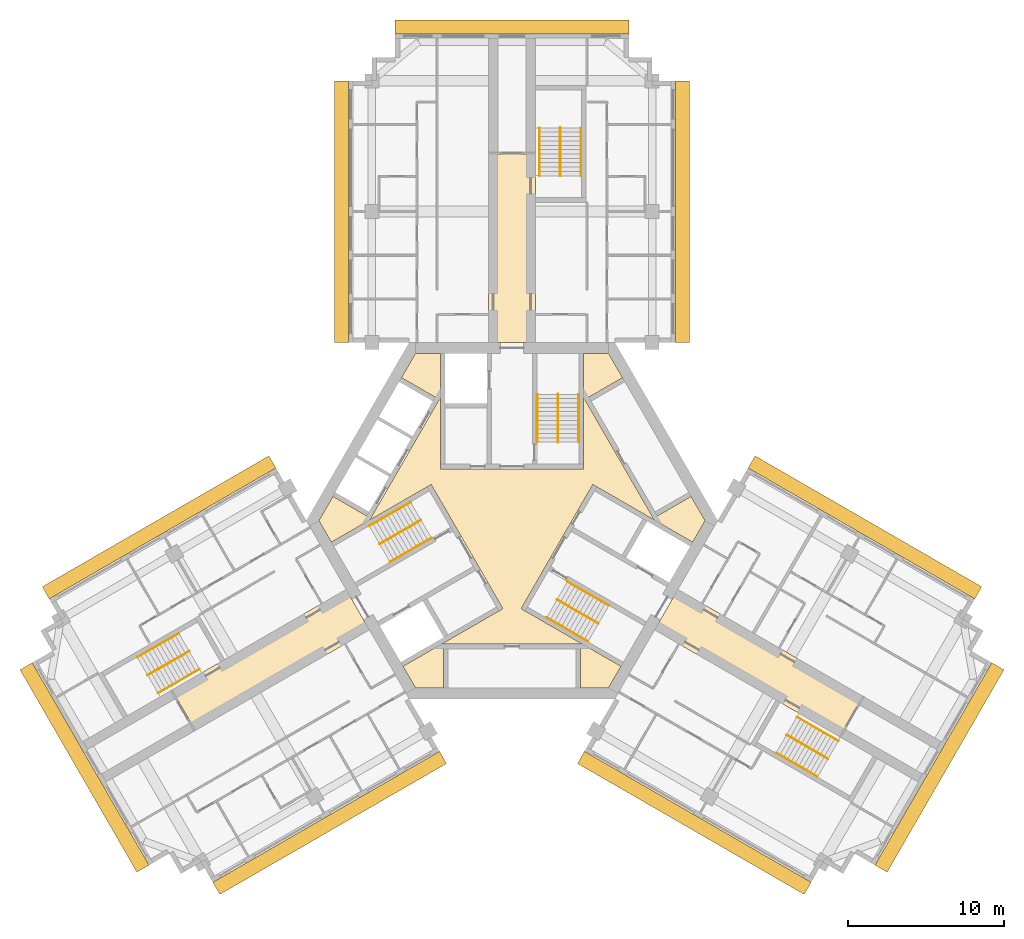
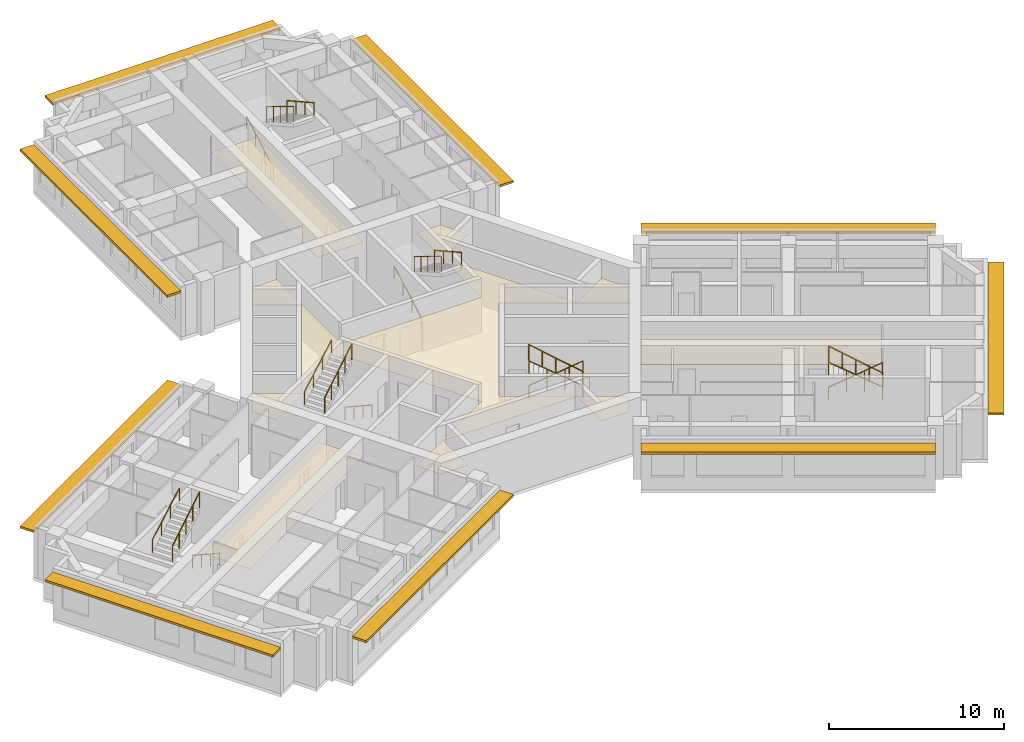
# One storey, part 10 of 10: 18 railings, 4 coverings, 3 shading devices.
"""IFC4 building model written with IfcOpenShell, lengths in metres."""

from ifc_helpers import new_model, si_unit, direction, frame, origin, origin_2d, place, context, subcontext, project, spatial, polyline, rectangle, circle, outline, extrude, material, layer, layer_set, type_object, element, save


model = new_model("IFC4")

# Units and contexts
model_context = context("Model", 3, precision=1e-05, world=origin(), true_north=direction((0.0, 1.0)))
body_context = subcontext(model_context, "Body", "Model", "MODEL_VIEW")
ifc_project = project(units=[si_unit("LENGTHUNIT", "METRE"), si_unit("AREAUNIT", "SQUARE_METRE"), si_unit("VOLUMEUNIT", "CUBIC_METRE"), si_unit("PLANEANGLEUNIT", "RADIAN"), si_unit("MASSUNIT", "GRAM", prefix="KILO")], contexts=[model_context])

# Site, building, storey
site_placement = place(None, origin())
site = spatial("IfcSite", under=ifc_project, at=site_placement, CompositionType="ELEMENT")
building_placement = place(site_placement, origin())
building = spatial("IfcBuilding", under=site, at=building_placement, Name="Impinga Residences", CompositionType="ELEMENT")
storey_placement = place(building_placement, frame((0.0, 0.0, 259.75)))
storey = spatial("IfcBuildingStorey", under=building, at=storey_placement, Name="L65", CompositionType="ELEMENT", Elevation=259.75)

# Coverings
ifc_material_1 = material(Name="Plasterboard 15 mm on steel hangers", Category="steel")
ifc_layer_1 = layer(ifc_material_1, 0.014892578125)
ifc_layer_set_1 = layer_set([ifc_layer_1], Name="Plasterboard 15 mm on steel hangers")
covering_type_1 = type_object("IfcCoveringType", Name="CL1 corridor ceiling, 15 mm plasterboard on hangers", PredefinedType="CEILING", material=ifc_layer_set_1)
covering_1_placement = place(storey_placement, frame((0.0, 0.0, 2.39990234375)))
element("IfcCovering", 1, at=covering_1_placement, inside=storey, type_object=covering_type_1, Name="Corridor ceiling CL1 L65-N00", PredefinedType="CEILING", context=body_context, shape_type="SweptSolid", body=[
    extrude(outline(polyline([(-1.5, 11.431640625), (1.5, 11.431640625), (1.5, 23.531494140625), (-1.5, 23.531494140625), (-1.5, 11.431640625)])), origin(), (0.0, 0.0, 1.0), 0.01513671875),
])
covering_2_placement = place(storey_placement, frame((0.0, 0.0, 2.39990234375)))
element("IfcCovering", 2, at=covering_2_placement, inside=storey, type_object=covering_type_1, Name="Corridor ceiling CL1 L65-W00", PredefinedType="CEILING", context=body_context, shape_type="SweptSolid", body=[
    extrude(outline(polyline([(-9.14990234375, -7.014892578125), (-10.64990234375, -4.416748046875), (-21.82177734375, -10.86669921875), (-20.32177734375, -13.46484375), (-9.14990234375, -7.014892578125)])), origin(), (0.0, 0.0, 1.0), 0.01513671875),
])
covering_3_placement = place(storey_placement, frame((0.0, 0.0, 2.39990234375)))
element("IfcCovering", 3, at=covering_3_placement, inside=storey, type_object=covering_type_1, Name="Corridor ceiling CL1 L65-E00", PredefinedType="CEILING", context=body_context, shape_type="SweptSolid", body=[
    extrude(outline(polyline([(10.64990234375, -4.416748046875), (9.14990234375, -7.014892578125), (21.0146484375, -13.86474609375), (22.5146484375, -11.266845703125), (10.64990234375, -4.416748046875)])), origin(), (0.0, 0.0, 1.0), 0.01513671875),
])
ifc_material_2 = material(Name="Mineral fibre tiles 20 mm on exposed grid", Category="mineral fibre")
ifc_layer_2 = layer(ifc_material_2, 0.02001953125)
ifc_layer_set_2 = layer_set([ifc_layer_2], Name="CL2 lift lobby ceiling, 20 mm mineral fibre tiles")
covering_type_2 = type_object("IfcCoveringType", Name="CL2 lift lobby ceiling, 20 mm mineral fibre tiles", PredefinedType="CEILING", material=ifc_layer_set_2)
covering_4_placement = place(storey_placement, frame((0.0, 0.0, 2.39990234375)))
element("IfcCovering", 4, at=covering_4_placement, inside=storey, type_object=covering_type_2, Name="Lift lobby ceiling CL2 L65-C01", PredefinedType="CEILING", context=body_context, shape_type="SweptSolid", body=[
    extrude(outline(polyline([(12.3916015625, 0.0), (11.59375, -1.382080078125), (5.183837890625, 2.318603515625), (0.583984375, -5.648681640625), (6.993896484375, -9.349365234375), (6.19580078125, -10.7314453125), (4.39990234375, -10.7314453125), (4.39990234375, -7.931640625), (-4.39990234375, -7.931640625), (-4.39990234375, -10.7314453125), (-6.19580078125, -10.7314453125), (-6.993896484375, -9.349365234375), (-0.583984375, -5.648681640625), (-5.183837890625, 2.318603515625), (-11.59375, -1.382080078125), (-12.3916015625, 0.0), (-11.493896484375, 1.55517578125), (-9.06884765625, 0.1552734375), (-4.6689453125, 7.7763671875), (-7.09375, 9.17626953125), (-6.19580078125, 10.7314453125), (-4.60009765625, 10.7314453125), (-4.60009765625, 3.330078125), (4.60009765625, 3.330078125), (4.60009765625, 10.7314453125), (6.19580078125, 10.7314453125), (7.09375, 9.17626953125), (4.6689453125, 7.7763671875), (9.06884765625, 0.1552734375), (11.493896484375, 1.55517578125), (12.3916015625, 0.0)])), origin(), (0.0, 0.0, 1.0), 0.02001953125),
])

# Railings
ifc_material_3 = material(Name="Steel guard, powder coated", Category="steel")
railing_type_1 = type_object("IfcRailingType", Name="GR1 stair guard 1100", PredefinedType="GUARDRAIL", material=ifc_material_3)
railing_1_placement = place(storey_placement, frame((2.949951171875, 8.110107421875, 1.875)))
element("IfcRailing", 5, at=railing_1_placement, inside=storey, type_object=railing_type_1, Name="Stair guard GR1 ST1 L65", PredefinedType="GUARDRAIL", context=body_context, shape_type="SweptSolid", body=[
    extrude(circle(Radius=0.02392578125, at=origin_2d()), frame((0.0, 0.0, 1.076171875), z_axis=(0.0, -0.854177636135, 0.519981313056), x_axis=(1.0, 0.0, 0.0)), (0.0, 0.0, 1.0), 3.60595703125),
    extrude(circle(Radius=0.02099609375, at=origin_2d()), origin(), (0.0, 0.0, 1.0), 1.052001953125),
    extrude(circle(Radius=0.02099609375, at=origin_2d()), frame((0.0, -0.77001953125, 0.46875)), (0.0, 0.0, 1.0), 1.052001953125),
    extrude(circle(Radius=0.02099609375, at=origin_2d()), frame((0.0, -1.5400390625, 0.9375)), (0.0, 0.0, 1.0), 1.052001953125),
    extrude(circle(Radius=0.02099609375, at=origin_2d()), frame((0.0, -2.31005859375, 1.40625)), (0.0, 0.0, 1.0), 1.052001953125),
    extrude(circle(Radius=0.02099609375, at=origin_2d()), frame((0.0, -3.080078125, 1.875)), (0.0, 0.0, 1.0), 1.052001953125),
])
railing_2_placement = place(storey_placement, frame((-8.49853515625, -1.500244140625, 1.875)))
element("IfcRailing", 6, at=railing_2_placement, inside=storey, type_object=railing_type_1, Name="Stair guard GR1 ST2 L65", PredefinedType="GUARDRAIL", context=body_context, shape_type="SweptSolid", body=[
    extrude(circle(Radius=0.02392578125, at=origin_2d()), frame((0.0, 0.0, 1.076171875), z_axis=(0.739746383972, 0.427084037168, 0.519975492303), x_axis=(-0.499992328818, 0.866029832698, 0.0)), (0.0, 0.0, 1.0), 3.60595703125),
    extrude(circle(Radius=0.02099609375, at=origin_2d()), origin(), (0.0, 0.0, 1.0), 1.052001953125),
    extrude(circle(Radius=0.02099609375, at=origin_2d()), frame((0.6669921875, 0.385009765625, 0.46875)), (0.0, 0.0, 1.0), 1.052001953125),
    extrude(circle(Radius=0.02099609375, at=origin_2d()), frame((1.333740234375, 0.77001953125, 0.9375)), (0.0, 0.0, 1.0), 1.052001953125),
    extrude(circle(Radius=0.02099609375, at=origin_2d()), frame((2.00048828125, 1.155029296875, 1.40625)), (0.0, 0.0, 1.0), 1.052001953125),
    extrude(circle(Radius=0.02099609375, at=origin_2d()), frame((2.66748046875, 1.5400390625, 1.875)), (0.0, 0.0, 1.0), 1.052001953125),
])
railing_3_placement = place(storey_placement, frame((5.548583984375, -6.60986328125, 1.875)))
element("IfcRailing", 7, at=railing_3_placement, inside=storey, type_object=railing_type_1, Name="Stair guard GR1 ST3 L65", PredefinedType="GUARDRAIL", context=body_context, shape_type="SweptSolid", body=[
    extrude(circle(Radius=0.02392578125, at=origin_2d()), frame((0.0, 0.0, 1.076171875), z_axis=(-0.739746383972, 0.427084037168, 0.519975492303), x_axis=(-0.499992328818, -0.866029832698, 0.0)), (0.0, 0.0, 1.0), 3.60595703125),
    extrude(circle(Radius=0.02099609375, at=origin_2d()), origin(), (0.0, 0.0, 1.0), 1.052001953125),
    extrude(circle(Radius=0.02099609375, at=origin_2d()), frame((-0.6669921875, 0.385009765625, 0.46875)), (0.0, 0.0, 1.0), 1.052001953125),
    extrude(circle(Radius=0.02099609375, at=origin_2d()), frame((-1.333740234375, 0.77001953125, 0.9375)), (0.0, 0.0, 1.0), 1.052001953125),
    extrude(circle(Radius=0.02099609375, at=origin_2d()), frame((-2.00048828125, 1.155029296875, 1.40625)), (0.0, 0.0, 1.0), 1.052001953125),
    extrude(circle(Radius=0.02099609375, at=origin_2d()), frame((-2.66748046875, 1.5400390625, 1.875)), (0.0, 0.0, 1.0), 1.052001953125),
])
railing_4_placement = place(storey_placement, frame((3.10009765625, 25.21142578125, 1.875)))
element("IfcRailing", 8, at=railing_4_placement, inside=storey, type_object=railing_type_1, Name="Stair guard GR1 WS1 L65", PredefinedType="GUARDRAIL", context=body_context, shape_type="SweptSolid", body=[
    extrude(circle(Radius=0.02392578125, at=origin_2d()), frame((0.0, 0.0, 1.076171875), z_axis=(0.0, -0.854159328187, 0.520011386482), x_axis=(1.0, 0.0, 0.0)), (0.0, 0.0, 1.0), 3.605712890625),
    extrude(circle(Radius=0.02099609375, at=origin_2d()), origin(), (0.0, 0.0, 1.0), 1.052001953125),
    extrude(circle(Radius=0.02099609375, at=origin_2d()), frame((0.0, -0.77001953125, 0.46875)), (0.0, 0.0, 1.0), 1.052001953125),
    extrude(circle(Radius=0.02099609375, at=origin_2d()), frame((0.0, -1.5400390625, 0.9375)), (0.0, 0.0, 1.0), 1.052001953125),
    extrude(circle(Radius=0.02099609375, at=origin_2d()), frame((0.0, -2.309814453125, 1.40625)), (0.0, 0.0, 1.0), 1.052001953125),
    extrude(circle(Radius=0.02099609375, at=origin_2d()), frame((0.0, -3.079833984375, 1.875)), (0.0, 0.0, 1.0), 1.052001953125),
])
railing_5_placement = place(storey_placement, frame((-23.3837890625, -9.921142578125, 1.875)))
element("IfcRailing", 9, at=railing_5_placement, inside=storey, type_object=railing_type_1, Name="Stair guard GR1 WS2 L65", PredefinedType="GUARDRAIL", context=body_context, shape_type="SweptSolid", body=[
    extrude(circle(Radius=0.02392578125, at=origin_2d()), frame((0.0, 0.0, 1.076171875), z_axis=(0.739715726454, 0.427105428144, 0.52000153585), x_axis=(-0.500026652407, 0.866010015463, 0.0)), (0.0, 0.0, 1.0), 3.605712890625),
    extrude(circle(Radius=0.02099609375, at=origin_2d()), origin(), (0.0, 0.0, 1.0), 1.052001953125),
    extrude(circle(Radius=0.02099609375, at=origin_2d()), frame((0.666748046875, 0.385009765625, 0.46875)), (0.0, 0.0, 1.0), 1.052001953125),
    extrude(circle(Radius=0.02099609375, at=origin_2d()), frame((1.33349609375, 0.77001953125, 0.9375)), (0.0, 0.0, 1.0), 1.052001953125),
    extrude(circle(Radius=0.02099609375, at=origin_2d()), frame((2.00048828125, 1.155029296875, 1.40625)), (0.0, 0.0, 1.0), 1.052001953125),
    extrude(circle(Radius=0.02099609375, at=origin_2d()), frame((2.667236328125, 1.5400390625, 1.875)), (0.0, 0.0, 1.0), 1.052001953125),
])
railing_6_placement = place(storey_placement, frame((20.283935546875, -15.29052734375, 1.875)))
element("IfcRailing", 10, at=railing_6_placement, inside=storey, type_object=railing_type_1, Name="Stair guard GR1 WS3 L65", PredefinedType="GUARDRAIL", context=body_context, shape_type="SweptSolid", body=[
    extrude(circle(Radius=0.02392578125, at=origin_2d()), frame((0.0, 0.0, 1.076171875), z_axis=(-0.739746383972, 0.427084037168, 0.519975492303), x_axis=(-0.499992328818, -0.866029832698, 0.0)), (0.0, 0.0, 1.0), 3.60595703125),
    extrude(circle(Radius=0.02099609375, at=origin_2d()), origin(), (0.0, 0.0, 1.0), 1.052001953125),
    extrude(circle(Radius=0.02099609375, at=origin_2d()), frame((-0.6669921875, 0.385009765625, 0.46875)), (0.0, 0.0, 1.0), 1.052001953125),
    extrude(circle(Radius=0.02099609375, at=origin_2d()), frame((-1.333740234375, 0.77001953125, 0.9375)), (0.0, 0.0, 1.0), 1.052001953125),
    extrude(circle(Radius=0.02099609375, at=origin_2d()), frame((-2.00048828125, 1.155029296875, 1.40625)), (0.0, 0.0, 1.0), 1.052001953125),
    extrude(circle(Radius=0.02099609375, at=origin_2d()), frame((-2.66748046875, 1.5400390625, 1.875)), (0.0, 0.0, 1.0), 1.052001953125),
])
ifc_material_4 = material(Name="Steel handrail tube 42 mm, powder coated", Category="steel")
railing_type_2 = type_object("IfcRailingType", Name="HR1 stair handrail, 42 mm steel tube, 900 above the pitch line", PredefinedType="HANDRAIL", material=ifc_material_4)
railing_7_placement = place(storey_placement, frame((1.62109375, 5.030029296875, 0.15625)))
element("IfcRailing", 11, at=railing_7_placement, inside=storey, type_object=railing_type_2, Name="Stair handrail HR1 ST1 L65", PredefinedType="HANDRAIL", context=body_context, shape_type="SweptSolid", body=[
    extrude(circle(Radius=0.02099609375, at=origin_2d()), frame((0.0, 0.0, 0.87890625), z_axis=(0.0, 0.873241540666, 0.487287606713), x_axis=(-1.0, 0.0, 0.0)), (0.0, 0.0, 1.0), 3.527099609375),
    extrude(circle(Radius=0.012451171875, at=origin_2d()), origin(), (0.0, 0.0, 1.0), 0.85791015625),
    extrude(circle(Radius=0.012451171875, at=origin_2d()), frame((0.0, 1.026611328125, 0.572998046875)), (0.0, 0.0, 1.0), 0.85791015625),
    extrude(circle(Radius=0.012451171875, at=origin_2d()), frame((0.0, 2.053466796875, 1.145751953125)), (0.0, 0.0, 1.0), 0.85791015625),
    extrude(circle(Radius=0.012451171875, at=origin_2d()), frame((0.0, 3.080078125, 1.71875)), (0.0, 0.0, 1.0), 0.85791015625),
])
railing_8_placement = place(storey_placement, frame((4.279052734375, 8.110107421875, 2.03125)))
element("IfcRailing", 12, at=railing_8_placement, inside=storey, type_object=railing_type_2, Name="Stair handrail HR1 ST1 L65", PredefinedType="HANDRAIL", context=body_context, shape_type="SweptSolid", body=[
    extrude(circle(Radius=0.02099609375, at=origin_2d()), frame((0.0, 0.0, 0.87890625), z_axis=(0.0, -0.873241540666, 0.487287606713), x_axis=(1.0, 0.0, 0.0)), (0.0, 0.0, 1.0), 3.527099609375),
    extrude(circle(Radius=0.012451171875, at=origin_2d()), origin(), (0.0, 0.0, 1.0), 0.85791015625),
    extrude(circle(Radius=0.012451171875, at=origin_2d()), frame((0.0, -1.026611328125, 0.572998046875)), (0.0, 0.0, 1.0), 0.85791015625),
    extrude(circle(Radius=0.012451171875, at=origin_2d()), frame((0.0, -2.053466796875, 1.145751953125)), (0.0, 0.0, 1.0), 0.85791015625),
    extrude(circle(Radius=0.012451171875, at=origin_2d()), frame((0.0, -3.080078125, 1.71875)), (0.0, 0.0, 1.0), 0.85791015625),
])
railing_9_placement = place(storey_placement, frame((-5.16650390625, -1.111083984375, 0.15625)))
element("IfcRailing", 13, at=railing_9_placement, inside=storey, type_object=railing_type_2, Name="Stair handrail HR1 ST2 L65", PredefinedType="HANDRAIL", context=body_context, shape_type="SweptSolid", body=[
    extrude(circle(Radius=0.02099609375, at=origin_2d()), frame((0.0, 0.0, 0.87890625), z_axis=(-0.756255980417, -0.436615662133, 0.487281905742), x_axis=(0.499992328818, -0.866029832698, 0.0)), (0.0, 0.0, 1.0), 3.527099609375),
    extrude(circle(Radius=0.012451171875, at=origin_2d()), origin(), (0.0, 0.0, 1.0), 0.85791015625),
    extrude(circle(Radius=0.012451171875, at=origin_2d()), frame((-0.88916015625, -0.513427734375, 0.572998046875)), (0.0, 0.0, 1.0), 0.85791015625),
    extrude(circle(Radius=0.012451171875, at=origin_2d()), frame((-1.7783203125, -1.026611328125, 1.145751953125)), (0.0, 0.0, 1.0), 0.85791015625),
    extrude(circle(Radius=0.012451171875, at=origin_2d()), frame((-2.66748046875, -1.5400390625, 1.71875)), (0.0, 0.0, 1.0), 0.85791015625),
])
railing_10_placement = place(storey_placement, frame((-9.1630859375, -0.349365234375, 2.03125)))
element("IfcRailing", 14, at=railing_10_placement, inside=storey, type_object=railing_type_2, Name="Stair handrail HR1 ST2 L65", PredefinedType="HANDRAIL", context=body_context, shape_type="SweptSolid", body=[
    extrude(circle(Radius=0.02099609375, at=origin_2d()), frame((0.0, 0.0, 0.87890625), z_axis=(0.756255980417, 0.436615662133, 0.487281905742), x_axis=(-0.499992328818, 0.866029832698, 0.0)), (0.0, 0.0, 1.0), 3.527099609375),
    extrude(circle(Radius=0.012451171875, at=origin_2d()), origin(), (0.0, 0.0, 1.0), 0.85791015625),
    extrude(circle(Radius=0.012451171875, at=origin_2d()), frame((0.88916015625, 0.513427734375, 0.572998046875)), (0.0, 0.0, 1.0), 0.85791015625),
    extrude(circle(Radius=0.012451171875, at=origin_2d()), frame((1.7783203125, 1.026611328125, 1.145751953125)), (0.0, 0.0, 1.0), 0.85791015625),
    extrude(circle(Radius=0.012451171875, at=origin_2d()), frame((2.66748046875, 1.5400390625, 1.71875)), (0.0, 0.0, 1.0), 0.85791015625),
])
railing_11_placement = place(storey_placement, frame((3.545654296875, -3.9189453125, 0.15625)))
element("IfcRailing", 15, at=railing_11_placement, inside=storey, type_object=railing_type_2, Name="Stair handrail HR1 ST3 L65", PredefinedType="HANDRAIL", context=body_context, shape_type="SweptSolid", body=[
    extrude(circle(Radius=0.02099609375, at=origin_2d()), frame((0.0, 0.0, 0.87890625), z_axis=(0.756249203677, -0.436582492228, 0.487322141317), x_axis=(0.499967199496, 0.866044340336, 0.0)), (0.0, 0.0, 1.0), 3.52685546875),
    extrude(circle(Radius=0.012451171875, at=origin_2d()), origin(), (0.0, 0.0, 1.0), 0.85791015625),
    extrude(circle(Radius=0.012451171875, at=origin_2d()), frame((0.88916015625, -0.51318359375, 0.572998046875)), (0.0, 0.0, 1.0), 0.85791015625),
    extrude(circle(Radius=0.012451171875, at=origin_2d()), frame((1.778076171875, -1.026611328125, 1.145751953125)), (0.0, 0.0, 1.0), 0.85791015625),
    extrude(circle(Radius=0.012451171875, at=origin_2d()), frame((2.667236328125, -1.539794921875, 1.71875)), (0.0, 0.0, 1.0), 0.85791015625),
])
railing_12_placement = place(storey_placement, frame((4.884033203125, -7.7607421875, 2.03125)))
element("IfcRailing", 16, at=railing_12_placement, inside=storey, type_object=railing_type_2, Name="Stair handrail HR1 ST3 L65", PredefinedType="HANDRAIL", context=body_context, shape_type="SweptSolid", body=[
    extrude(circle(Radius=0.02099609375, at=origin_2d()), frame((0.0, 0.0, 0.87890625), z_axis=(-0.756255980417, 0.436615662133, 0.487281905742), x_axis=(-0.499992328818, -0.866029832698, 0.0)), (0.0, 0.0, 1.0), 3.527099609375),
    extrude(circle(Radius=0.012451171875, at=origin_2d()), origin(), (0.0, 0.0, 1.0), 0.85791015625),
    extrude(circle(Radius=0.012451171875, at=origin_2d()), frame((-0.88916015625, 0.513427734375, 0.572998046875)), (0.0, 0.0, 1.0), 0.85791015625),
    extrude(circle(Radius=0.012451171875, at=origin_2d()), frame((-1.7783203125, 1.026611328125, 1.145751953125)), (0.0, 0.0, 1.0), 0.85791015625),
    extrude(circle(Radius=0.012451171875, at=origin_2d()), frame((-2.66748046875, 1.5400390625, 1.71875)), (0.0, 0.0, 1.0), 0.85791015625),
])
railing_13_placement = place(storey_placement, frame((1.77099609375, 22.131591796875, 0.15625)))
element("IfcRailing", 17, at=railing_13_placement, inside=storey, type_object=railing_type_2, Name="Stair handrail HR1 WS1 L65", PredefinedType="HANDRAIL", context=body_context, shape_type="SweptSolid", body=[
    extrude(circle(Radius=0.02099609375, at=origin_2d()), frame((0.0, 0.0, 0.87890625), z_axis=(0.0, 0.873225103656, 0.487317061414), x_axis=(-1.0, 0.0, 0.0)), (0.0, 0.0, 1.0), 3.52685546875),
    extrude(circle(Radius=0.012451171875, at=origin_2d()), origin(), (0.0, 0.0, 1.0), 0.85791015625),
    extrude(circle(Radius=0.012451171875, at=origin_2d()), frame((0.0, 1.026611328125, 0.572998046875)), (0.0, 0.0, 1.0), 0.85791015625),
    extrude(circle(Radius=0.012451171875, at=origin_2d()), frame((0.0, 2.05322265625, 1.145751953125)), (0.0, 0.0, 1.0), 0.85791015625),
    extrude(circle(Radius=0.012451171875, at=origin_2d()), frame((0.0, 3.079833984375, 1.71875)), (0.0, 0.0, 1.0), 0.85791015625),
])
railing_14_placement = place(storey_placement, frame((4.428955078125, 25.21142578125, 2.03125)))
element("IfcRailing", 18, at=railing_14_placement, inside=storey, type_object=railing_type_2, Name="Stair handrail HR1 WS1 L65", PredefinedType="HANDRAIL", context=body_context, shape_type="SweptSolid", body=[
    extrude(circle(Radius=0.02099609375, at=origin_2d()), frame((0.0, 0.0, 0.87890625), z_axis=(0.0, -0.873225103656, 0.487317061414), x_axis=(1.0, 0.0, 0.0)), (0.0, 0.0, 1.0), 3.52685546875),
    extrude(circle(Radius=0.012451171875, at=origin_2d()), origin(), (0.0, 0.0, 1.0), 0.85791015625),
    extrude(circle(Radius=0.012451171875, at=origin_2d()), frame((0.0, -1.026611328125, 0.572998046875)), (0.0, 0.0, 1.0), 0.85791015625),
    extrude(circle(Radius=0.012451171875, at=origin_2d()), frame((0.0, -2.05322265625, 1.145751953125)), (0.0, 0.0, 1.0), 0.85791015625),
    extrude(circle(Radius=0.012451171875, at=origin_2d()), frame((0.0, -3.079833984375, 1.71875)), (0.0, 0.0, 1.0), 0.85791015625),
])
railing_15_placement = place(storey_placement, frame((-20.052001953125, -9.531982421875, 0.15625)))
element("IfcRailing", 19, at=railing_15_placement, inside=storey, type_object=railing_type_2, Name="Stair handrail HR1 WS2 L65", PredefinedType="HANDRAIL", context=body_context, shape_type="SweptSolid", body=[
    extrude(circle(Radius=0.02099609375, at=origin_2d()), frame((0.0, 0.0, 0.87890625), z_axis=(-0.756226348243, -0.436638517594, 0.487307413422), x_axis=(0.500026652407, -0.866010015463, 0.0)), (0.0, 0.0, 1.0), 3.527099609375),
    extrude(circle(Radius=0.012451171875, at=origin_2d()), origin(), (0.0, 0.0, 1.0), 0.85791015625),
    extrude(circle(Radius=0.012451171875, at=origin_2d()), frame((-0.88916015625, -0.513427734375, 0.572998046875)), (0.0, 0.0, 1.0), 0.85791015625),
    extrude(circle(Radius=0.012451171875, at=origin_2d()), frame((-1.778076171875, -1.026611328125, 1.145751953125)), (0.0, 0.0, 1.0), 0.85791015625),
    extrude(circle(Radius=0.012451171875, at=origin_2d()), frame((-2.667236328125, -1.5400390625, 1.71875)), (0.0, 0.0, 1.0), 0.85791015625),
])
railing_16_placement = place(storey_placement, frame((-24.04833984375, -8.77001953125, 2.03125)))
element("IfcRailing", 20, at=railing_16_placement, inside=storey, type_object=railing_type_2, Name="Stair handrail HR1 WS2 L65", PredefinedType="HANDRAIL", context=body_context, shape_type="SweptSolid", body=[
    extrude(circle(Radius=0.02099609375, at=origin_2d()), frame((0.0, 0.0, 0.87890625), z_axis=(0.756278834354, 0.436559638319, 0.487296631324), x_axis=(-0.499932877268, 0.866064153644, 0.0)), (0.0, 0.0, 1.0), 3.527099609375),
    extrude(circle(Radius=0.012451171875, at=origin_2d()), origin(), (0.0, 0.0, 1.0), 0.85791015625),
    extrude(circle(Radius=0.012451171875, at=origin_2d()), frame((0.88916015625, 0.51318359375, 0.572998046875)), (0.0, 0.0, 1.0), 0.85791015625),
    extrude(circle(Radius=0.012451171875, at=origin_2d()), frame((1.7783203125, 1.026611328125, 1.145751953125)), (0.0, 0.0, 1.0), 0.85791015625),
    extrude(circle(Radius=0.012451171875, at=origin_2d()), frame((2.66748046875, 1.539794921875, 1.71875)), (0.0, 0.0, 1.0), 0.85791015625),
])
railing_17_placement = place(storey_placement, frame((18.281005859375, -12.599609375, 0.15625)))
element("IfcRailing", 21, at=railing_17_placement, inside=storey, type_object=railing_type_2, Name="Stair handrail HR1 WS3 L65", PredefinedType="HANDRAIL", context=body_context, shape_type="SweptSolid", body=[
    extrude(circle(Radius=0.02099609375, at=origin_2d()), frame((0.0, 0.0, 0.87890625), z_axis=(0.756249203677, -0.436582492228, 0.487322141317), x_axis=(0.499967199496, 0.866044340336, 0.0)), (0.0, 0.0, 1.0), 3.52685546875),
    extrude(circle(Radius=0.012451171875, at=origin_2d()), origin(), (0.0, 0.0, 1.0), 0.85791015625),
    extrude(circle(Radius=0.012451171875, at=origin_2d()), frame((0.88916015625, -0.51318359375, 0.572998046875)), (0.0, 0.0, 1.0), 0.85791015625),
    extrude(circle(Radius=0.012451171875, at=origin_2d()), frame((1.778076171875, -1.026611328125, 1.145751953125)), (0.0, 0.0, 1.0), 0.85791015625),
    extrude(circle(Radius=0.012451171875, at=origin_2d()), frame((2.667236328125, -1.539794921875, 1.71875)), (0.0, 0.0, 1.0), 0.85791015625),
])
railing_18_placement = place(storey_placement, frame((19.619384765625, -16.44140625, 2.03125)))
element("IfcRailing", 22, at=railing_18_placement, inside=storey, type_object=railing_type_2, Name="Stair handrail HR1 WS3 L65", PredefinedType="HANDRAIL", context=body_context, shape_type="SweptSolid", body=[
    extrude(circle(Radius=0.02099609375, at=origin_2d()), frame((0.0, 0.0, 0.87890625), z_axis=(-0.756255980417, 0.436615662133, 0.487281905742), x_axis=(-0.499992328818, -0.866029832698, 0.0)), (0.0, 0.0, 1.0), 3.527099609375),
    extrude(circle(Radius=0.012451171875, at=origin_2d()), origin(), (0.0, 0.0, 1.0), 0.85791015625),
    extrude(circle(Radius=0.012451171875, at=origin_2d()), frame((-0.88916015625, 0.513427734375, 0.572998046875)), (0.0, 0.0, 1.0), 0.85791015625),
    extrude(circle(Radius=0.012451171875, at=origin_2d()), frame((-1.7783203125, 1.026611328125, 1.145751953125)), (0.0, 0.0, 1.0), 0.85791015625),
    extrude(circle(Radius=0.012451171875, at=origin_2d()), frame((-2.66748046875, 1.5400390625, 1.71875)), (0.0, 0.0, 1.0), 0.85791015625),
])

# Shading devices
ifc_material_5 = material(Name="Terracotta sunshade blades on aluminium brackets", Category="masonry")
ifc_layer_3 = layer(ifc_material_5, 0.14990234375)
ifc_layer_set_3 = layer_set([ifc_layer_3], Name="SS1 SUNSHADE terracotta sunshade band 900")
shading_device_type = type_object("IfcShadingDeviceType", Name="SS1 SUNSHADE terracotta sunshade band 900", PredefinedType="USERDEFINED", material=ifc_layer_set_3)
shading_device_1_placement = place(storey_placement, frame((-10.949951171875, 19.83154296875, 3.10009765625), z_axis=(0.0, 0.0, 1.0), x_axis=(0.0, 1.0, 0.0)))
element("IfcShadingDevice", 23, at=shading_device_1_placement, inside=storey, type_object=shading_device_type, Name="SUNSHADE band L65 NORTH WING", ObjectType="SUNSHADE", PredefinedType="USERDEFINED", context=body_context, shape_type="SweptSolid", body=[
    extrude(rectangle(XDim=16.800048828125, YDim=0.89990234375, at=origin_2d()), origin(), (0.0, 0.0, 1.0), 0.14990234375),
    extrude(rectangle(XDim=15.0, YDim=0.89990234375, at=origin_2d()), frame((11.85009765625, -10.949951171875, 0.0), z_axis=(0.0, 0.0, 1.0), x_axis=(0.0, -1.0, 0.0)), (0.0, 0.0, 1.0), 0.14990234375),
    extrude(rectangle(XDim=16.800048828125, YDim=0.89990234375, at=origin_2d()), frame((0.0, -21.89990234375, 0.0), z_axis=(0.0, 0.0, 1.0), x_axis=(-1.0, 0.0, 0.0)), (0.0, 0.0, 1.0), 0.14990234375),
])
shading_device_2_placement = place(storey_placement, frame((-27.43701171875, -15.8408203125, 3.10009765625), z_axis=(0.0, 0.0, 1.0), x_axis=(-0.5, 0.866025403784, 0.0)))
element("IfcShadingDevice", 24, at=shading_device_2_placement, inside=storey, type_object=shading_device_type, Name="SUNSHADE band L65 WEST WING", ObjectType="SUNSHADE", PredefinedType="USERDEFINED", context=body_context, shape_type="SweptSolid", body=[
    extrude(rectangle(XDim=15.0, YDim=0.89990234375, at=origin_2d()), origin(), (0.0, 0.0, 1.0), 0.14990234375),
    extrude(rectangle(XDim=16.800048828125, YDim=0.89990234375, at=origin_2d()), frame((10.949951171875, -11.849853515625, 0.0), z_axis=(0.0, 0.0, 1.0), x_axis=(0.0, -1.0, 0.0)), (0.0, 0.0, 1.0), 0.14990234375),
    extrude(rectangle(XDim=16.800048828125, YDim=0.89990234375, at=origin_2d()), frame((-10.949951171875, -11.849853515625, 0.0), z_axis=(0.0, 0.0, 1.0), x_axis=(0.0, 1.0, 0.0)), (0.0, 0.0, 1.0), 0.14990234375),
])
shading_device_3_placement = place(storey_placement, frame((22.649658203125, -0.432861328125, 3.10009765625), z_axis=(0.0, 0.0, 1.0), x_axis=(0.866025403784, -0.5, 0.0)))
element("IfcShadingDevice", 25, at=shading_device_3_placement, inside=storey, type_object=shading_device_type, Name="SUNSHADE band L65 EAST WING", ObjectType="SUNSHADE", PredefinedType="USERDEFINED", context=body_context, shape_type="SweptSolid", body=[
    extrude(rectangle(XDim=16.800048828125, YDim=0.89990234375, at=origin_2d()), origin(), (0.0, 0.0, 1.0), 0.14990234375),
    extrude(rectangle(XDim=15.0, YDim=0.89990234375, at=origin_2d()), frame((11.849853515625, -10.949951171875, 0.0), z_axis=(0.0, 0.0, 1.0), x_axis=(0.0, -1.0, 0.0)), (0.0, 0.0, 1.0), 0.14990234375),
    extrude(rectangle(XDim=16.800048828125, YDim=0.89990234375, at=origin_2d()), frame((0.0, -21.89990234375, 0.0), z_axis=(0.0, 0.0, 1.0), x_axis=(-1.0, 0.0, 0.0)), (0.0, 0.0, 1.0), 0.14990234375),
])

save(model, "model.ifc")
